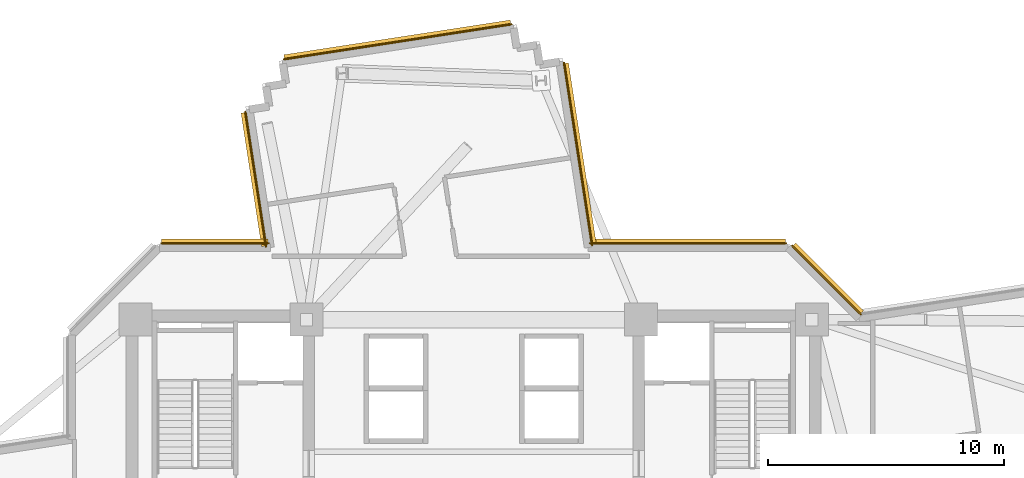
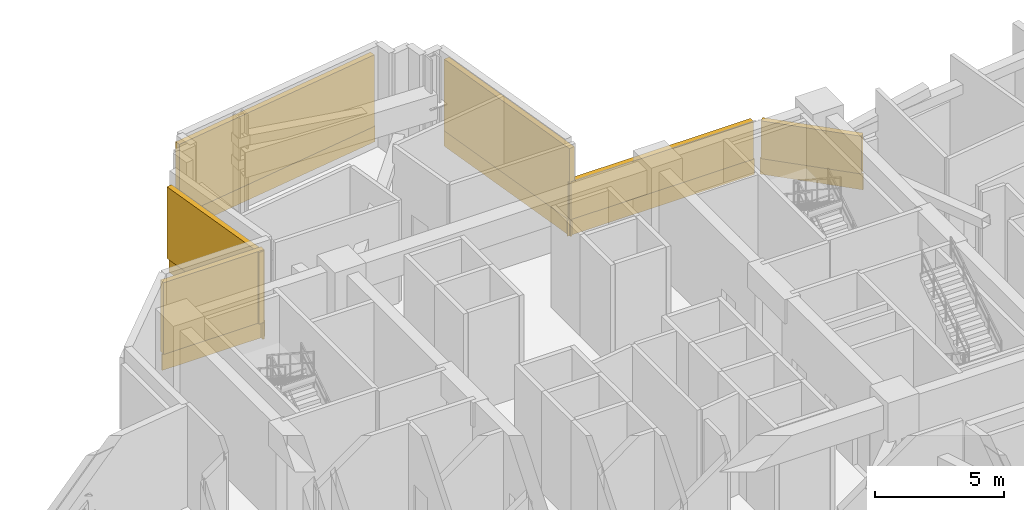
# One storey, part 10 of 10: 6 coverings, 6 shading devices.
"""IFC4 building model written with IfcOpenShell, lengths in metres."""

import ifcopenshell
import ifcopenshell.guid

model = None  # the IFC model being written
_history = None  # IfcOwnerHistory: only IFC2X3 demands one
_inside = {}  # id of a spatial element -> (the spatial element, [elements in it])
_under = {}  # id of a project, library or spatial element -> (it, [spatial elements below it])
_declared = {}  # id of a project -> (the project, [libraries it declares])
_typed = {}  # id of a type object -> (the type object, [elements of that type])
_made_of = {}  # id of a material, layer set ... -> (it, [elements and type objects made of it])


def new_model(schema):
    """Start an empty IFC model of exactly this schema.

    Asked for "IFC4X3", IfcOpenShell would pick the latest addendum, in which some entities
    have other attributes; the version numbers below select the first issue.
    IFC2X3 requires an IfcOwnerHistory on every rooted entity: one is made here for all.
    """
    global model, _history
    if schema == "IFC4X3":
        model = ifcopenshell.file(schema_version=(4, 3, 0, 0))
    else:
        model = ifcopenshell.file(schema=schema)
    _inside.clear()
    _under.clear()
    _declared.clear()
    _typed.clear()
    _made_of.clear()
    _history = None
    if model.schema == "IFC2X3":
        org = make("IfcOrganization", Name="unknown")
        user = make(
            "IfcPersonAndOrganization",
            ThePerson=make("IfcPerson", FamilyName="unknown"),
            TheOrganization=org,
        )
        app = make(
            "IfcApplication",
            ApplicationDeveloper=org,
            Version="unknown",
            ApplicationFullName="unknown",
            ApplicationIdentifier="unknown",
        )
        _history = make(
            "IfcOwnerHistory",
            OwningUser=user,
            OwningApplication=app,
            ChangeAction="ADDED",
            CreationDate=0,
        )
    return model


def make(cls, **values):
    """One entity of the class cls with the attributes given. An attribute that is None is left unset."""
    return model.create_entity(
        cls, **{name: value for name, value in values.items() if value is not None}
    )


def rooted(cls, **values):
    """An entity with a GlobalId (a new one), such as an element, a storey or a relation."""
    return make(cls, GlobalId=ifcopenshell.guid.new(), OwnerHistory=_history, **values)


def si_unit(unit_type, name, prefix=None):
    """IfcSIUnit, for example si_unit("LENGTHUNIT", "METRE", prefix="MILLI")."""
    return make("IfcSIUnit", UnitType=unit_type, Prefix=prefix, Name=name)


def assignment(units):
    """IfcUnitAssignment: the units of a project."""
    return None if units is None else make("IfcUnitAssignment", Units=units)


def point(xyz):
    """IfcCartesianPoint."""
    return None if xyz is None else make("IfcCartesianPoint", Coordinates=xyz)


def direction(xyz):
    """IfcDirection."""
    return None if xyz is None else make("IfcDirection", DirectionRatios=xyz)


def frame(location, z_axis=None, x_axis=None):
    """IfcAxis2Placement3D, a coordinate frame: its origin and axes. An axis left out is left unset."""
    return make(
        "IfcAxis2Placement3D",
        Location=point(location),
        Axis=direction(z_axis),
        RefDirection=direction(x_axis),
    )


def frame_2d(location, x_axis=None):
    """IfcAxis2Placement2D, a coordinate frame in the plane: its origin and x axis."""
    return make(
        "IfcAxis2Placement2D", Location=point(location), RefDirection=direction(x_axis)
    )


def origin():
    """The frame at (0, 0, 0) with its axes left unset."""
    return frame((0.0, 0.0, 0.0))


def origin_2d():
    """The frame at (0, 0) in the plane with its x axis left unset."""
    return frame_2d((0.0, 0.0))


def place(relative_to, where):
    """IfcLocalPlacement: puts the frame where relative to a parent placement (None: the world)."""
    return make(
        "IfcLocalPlacement", PlacementRelTo=relative_to, RelativePlacement=where
    )


def context(
    kind, dimensions, precision=None, world=None, true_north=None, identifier=None
):
    """IfcGeometricRepresentationContext, for example the 3D "Model" context."""
    return make(
        "IfcGeometricRepresentationContext",
        ContextIdentifier=identifier,
        ContextType=kind,
        CoordinateSpaceDimension=dimensions,
        Precision=precision,
        WorldCoordinateSystem=world,
        TrueNorth=true_north,
    )


def subcontext(parent, identifier, kind, view, scale=None):
    """IfcGeometricRepresentationSubContext, for example "Body" below "Model"."""
    return make(
        "IfcGeometricRepresentationSubContext",
        ContextIdentifier=identifier,
        ContextType=kind,
        ParentContext=parent,
        TargetScale=scale,
        TargetView=view,
    )


def project(units=None, contexts=None):
    """IfcProject with its units and contexts."""
    return rooted(
        "IfcProject",
        Name="project",
        RepresentationContexts=contexts,
        UnitsInContext=assignment(units),
    )


def spatial(cls, under=None, at=None, **own):
    """A site, building, storey or space (cls), placed at a placement, below another one or the project."""
    s = rooted(cls, ObjectPlacement=at, **own)
    if under is not None:
        _under.setdefault(under.id(), (under, []))[1].append(s)
    return s


def profile(cls, at=None, kind="AREA", **sizes):
    """A parametric profile (cls). Its sizes go by their IFC names, for example OverallWidth=200.0."""
    return make(cls, ProfileType=kind, Position=at, **sizes)


def rectangle(**sizes):
    """IfcRectangleProfileDef."""
    return profile("IfcRectangleProfileDef", **sizes)


def extrude(swept, where, along, depth):
    """IfcExtrudedAreaSolid: the profile swept, set in the frame where, extruded along a direction by depth."""
    return make(
        "IfcExtrudedAreaSolid",
        SweptArea=swept,
        Position=where,
        ExtrudedDirection=direction(along),
        Depth=depth,
    )


def shape(context_of_items, identifier, shape_type, items):
    """IfcShapeRepresentation: the items that make up one representation, for example the "Body"."""
    return make(
        "IfcShapeRepresentation",
        ContextOfItems=context_of_items,
        RepresentationIdentifier=identifier,
        RepresentationType=shape_type,
        Items=items,
    )


def source(mapping_origin, context_of_items, identifier, shape_type, items):
    """IfcRepresentationMap: a shape defined once, which mapped items show again and again."""
    return make(
        "IfcRepresentationMap",
        MappingOrigin=mapping_origin,
        MappedRepresentation=shape(context_of_items, identifier, shape_type, items),
    )


def transform(
    local_origin,
    x_axis=None,
    y_axis=None,
    z_axis=None,
    scale=None,
    scale2=None,
    scale3=None,
    uniform=True,
):
    """IfcCartesianTransformationOperator3D, or its non-uniform kind. x_axis, y_axis, z_axis: its Axis1, 2, 3."""
    if uniform:
        return make(
            "IfcCartesianTransformationOperator3D",
            Axis1=direction(x_axis),
            Axis2=direction(y_axis),
            LocalOrigin=point(local_origin),
            Scale=scale,
            Axis3=direction(z_axis),
        )
    return make(
        "IfcCartesianTransformationOperator3DnonUniform",
        Axis1=direction(x_axis),
        Axis2=direction(y_axis),
        LocalOrigin=point(local_origin),
        Scale=scale,
        Axis3=direction(z_axis),
        Scale2=scale2,
        Scale3=scale3,
    )


def mapped(mapping_source, mapping_target):
    """IfcMappedItem: shows the shape of a source again, moved by a transform."""
    return make(
        "IfcMappedItem", MappingSource=mapping_source, MappingTarget=mapping_target
    )


def material(Name=None, Category=None):
    """IfcMaterial."""
    return make("IfcMaterial", Name=Name, Category=Category)


def layer(
    of_material, thickness, ventilated=None, Name=None, Category=None, Priority=None
):
    """IfcMaterialLayer: one layer of a wall or slab, of a material (None: an air gap)."""
    return make(
        "IfcMaterialLayer",
        Material=of_material,
        LayerThickness=thickness,
        IsVentilated=ventilated,
        Name=Name,
        Category=Category,
        Priority=Priority,
    )


def layer_set(layers, Name=None):
    """IfcMaterialLayerSet."""
    return make("IfcMaterialLayerSet", MaterialLayers=layers, LayerSetName=Name)


def made_of(thing, what):
    """Note that an element or type object is made of a material, layer set ...; save() writes the relation."""
    if what is not None:
        _made_of.setdefault(what.id(), (what, []))[1].append(thing)
    return thing


def type_object(cls, material=None, **own):
    """A type object (cls), such as IfcWallType, which elements share."""
    return made_of(rooted(cls, **own), material)


def element(
    cls,
    number,
    at=None,
    inside=None,
    cuts=None,
    type_object=None,
    material=None,
    context=None,
    identifier="Body",
    shape_type=None,
    held_by="IfcProductDefinitionShape",
    body=None,
    shapes=None,
    **own,
):
    """One element of the class cls, such as IfcWall. Its Tag is "e" and its number.

    at: its placement. inside: the storey or other place that contains it. cuts: it is an
    opening in that element (IfcRelVoidsElement). A single representation is given by context,
    identifier, shape_type and body (its items); several are given by shapes. held_by: the class
    of the entity that holds the representations. save() writes the other relations.
    """
    e = rooted(cls, Tag="e%d" % number, ObjectPlacement=at, **own)
    if body is not None:
        shapes = [shape(context, identifier, shape_type, body)]
    if shapes is not None:
        e.Representation = make(held_by, Representations=shapes)
    if inside is not None:
        _inside.setdefault(inside.id(), (inside, []))[1].append(e)
    if cuts is not None:
        rooted(
            "IfcRelVoidsElement", RelatingBuildingElement=cuts, RelatedOpeningElement=e
        )
    if type_object is not None:
        _typed.setdefault(type_object.id(), (type_object, []))[1].append(e)
    return made_of(e, material)


def aggregate(whole, parts):
    """IfcRelAggregates: a whole, such as a stair, and the parts it consists of."""
    return rooted("IfcRelAggregates", RelatingObject=whole, RelatedObjects=parts)


def save(model, path):
    """Write the relations noted so far, then the file.

    IfcRelAggregates (storeys below a building ...), IfcRelContainedInSpatialStructure (elements
    in a storey), IfcRelDefinesByType, IfcRelAssociatesMaterial and IfcRelDeclares: one each for
    every whole, place, type object, material and project.
    """
    for whole, parts in _under.values():
        aggregate(whole, parts)
    for where, things in _inside.values():
        rooted(
            "IfcRelContainedInSpatialStructure",
            RelatedElements=things,
            RelatingStructure=where,
        )
    for kind, things in _typed.values():
        rooted("IfcRelDefinesByType", RelatedObjects=things, RelatingType=kind)
    for what, things in _made_of.values():
        rooted("IfcRelAssociatesMaterial", RelatedObjects=things, RelatingMaterial=what)
    for by, libraries in _declared.values():
        rooted("IfcRelDeclares", RelatingContext=by, RelatedDefinitions=libraries)
    model.write(path)


model = new_model("IFC4")

# Units and contexts
model_context = context("Model", 3, precision=1e-05, world=origin(), true_north=direction((0.0, 1.0)))
body_context = subcontext(model_context, "Body", "Model", "MODEL_VIEW")
ifc_project = project(units=[si_unit("LENGTHUNIT", "METRE"), si_unit("AREAUNIT", "SQUARE_METRE"), si_unit("VOLUMEUNIT", "CUBIC_METRE"), si_unit("PLANEANGLEUNIT", "RADIAN"), si_unit("MASSUNIT", "GRAM", prefix="KILO")], contexts=[model_context])

# Site, building, storey
site_placement = place(None, origin())
site = spatial("IfcSite", under=ifc_project, at=site_placement, CompositionType="ELEMENT")
building_placement = place(site_placement, origin())
building = spatial("IfcBuilding", under=site, at=building_placement, Name="Zahravan Cultural Tower", CompositionType="ELEMENT")
storey_placement = place(building_placement, frame((0.0, 0.0, 125.699951171875)))
storey = spatial("IfcBuildingStorey", under=building, at=storey_placement, Name="L28", CompositionType="ELEMENT", Elevation=125.699951171875)

# Covering
ifc_material_1 = material(Name="Terracotta ceramic cladding", Category="masonry")
ifc_layer = layer(ifc_material_1, 0.06005859375)
ifc_layer_set = layer_set([ifc_layer], Name="Terracotta ceramic cladding")
covering_type = type_object("IfcCoveringType", Name="COV-CLAD-TC60", PredefinedType="CLADDING", material=ifc_layer_set)
shared_shape_1 = source(origin(), body_context, "Body", "SweptSolid", [
    extrude(rectangle(XDim=9.820068359375, YDim=0.06005859375, at=origin_2d()), origin(), (0.0, 0.0, 1.0), 0.760009765625),
])
covering_1_placement = place(storey_placement, frame((32.771728515625, 47.998291015625, 0.02001953125), z_axis=(0.0, 0.0, 1.0), x_axis=(0.988388045954, 0.151950882248, 0.0)))
element("IfcCovering", 1, at=covering_1_placement, inside=storey, type_object=covering_type, Name="L28 Terracotta Spandrel Cladding 47", PredefinedType="CLADDING", context=body_context, shape_type="MappedRepresentation", body=[
    mapped(shared_shape_1, transform((0.0, 0.0, 0.0), x_axis=(1.0, 0.0, 0.0), y_axis=(0.0, 1.0, 0.0), z_axis=(0.0, 0.0, 1.0), scale=1.0)),
])

# Shading device
ifc_material_2 = material(Name="Architectural terracotta fin", Category="masonry")
shading_device_type = type_object("IfcShadingDeviceType", Name="SHD-LOUVRE-BAND", PredefinedType="JALOUSIE", material=ifc_material_2)
shared_shape_2 = source(origin(), body_context, "Body", "SweptSolid", [
    extrude(rectangle(XDim=9.719970703125, YDim=0.239990234375, at=origin_2d()), origin(), (0.0, 0.0, 1.0), 3.39990234375),
])
shading_device_1_placement = place(storey_placement, frame((32.761962890625, 48.0625, 0.780029296875), z_axis=(0.0, 0.0, 1.0), x_axis=(0.988388045954, 0.151950882248, 0.0)))
element("IfcShadingDevice", 2, at=shading_device_1_placement, inside=storey, type_object=shading_device_type, Name="L28 Terracotta Acoustic Louvre 19", PredefinedType="JALOUSIE", context=body_context, shape_type="MappedRepresentation", body=[
    mapped(shared_shape_2, transform((0.0, 0.0, 0.0), x_axis=(1.0, 0.0, 0.0), y_axis=(0.0, 1.0, 0.0), z_axis=(0.0, 0.0, 1.0), scale=1.0)),
])

# Covering
shared_shape_3 = source(origin(), body_context, "Body", "SweptSolid", [
    extrude(rectangle(XDim=4.618896484375, YDim=0.06005859375, at=origin_2d()), origin(), (0.0, 0.0, 1.0), 0.760009765625),
])
covering_2_placement = place(storey_placement, frame((25.017578125, 39.445068359375, 0.02001953125), z_axis=(0.0, 0.0, 1.0), x_axis=(1.0, 0.0, 0.0)))
element("IfcCovering", 3, at=covering_2_placement, inside=storey, type_object=covering_type, Name="L28 Terracotta Spandrel Cladding 41", PredefinedType="CLADDING", context=body_context, shape_type="MappedRepresentation", body=[
    mapped(shared_shape_3, transform((0.0, 0.0, 0.0), x_axis=(1.0, 0.0, 0.0), y_axis=(0.0, 1.0, 0.0), z_axis=(0.0, 0.0, 1.0), scale=1.0)),
])

# Shading device
shared_shape_4 = source(origin(), body_context, "Body", "SweptSolid", [
    extrude(rectangle(XDim=4.51904296875, YDim=0.239990234375, at=origin_2d()), origin(), (0.0, 0.0, 1.0), 3.39990234375),
])
shading_device_2_placement = place(storey_placement, frame((25.017578125, 39.510009765625, 0.780029296875), z_axis=(0.0, 0.0, 1.0), x_axis=(1.0, 0.0, 0.0)))
element("IfcShadingDevice", 4, at=shading_device_2_placement, inside=storey, type_object=shading_device_type, Name="L28 Terracotta Acoustic Louvre 17", PredefinedType="JALOUSIE", context=body_context, shape_type="MappedRepresentation", body=[
    mapped(shared_shape_4, transform((0.0, 0.0, 0.0), x_axis=(1.0, 0.0, 0.0), y_axis=(0.0, 1.0, 0.0), z_axis=(0.0, 0.0, 1.0), scale=1.0)),
])

# Covering
shared_shape_5 = source(origin(), body_context, "Body", "SweptSolid", [
    extrude(rectangle(XDim=5.83203125, YDim=0.06005859375, at=origin_2d()), origin(), (0.0, 0.0, 1.0), 0.760009765625),
])
covering_3_placement = place(storey_placement, frame((26.743408203125, 42.16357421875, 0.02001953125), z_axis=(0.0, 0.0, 1.0), x_axis=(-0.151968132851, 0.98838539376, 0.0)))
element("IfcCovering", 5, at=covering_3_placement, inside=storey, type_object=covering_type, Name="L28 Terracotta Spandrel Cladding 42", PredefinedType="CLADDING", context=body_context, shape_type="MappedRepresentation", body=[
    mapped(shared_shape_5, transform((0.0, 0.0, 0.0), x_axis=(1.0, 0.0, 0.0), y_axis=(0.0, 1.0, 0.0), z_axis=(0.0, 0.0, 1.0), scale=1.0)),
])

# Shading device
shared_shape_6 = source(origin(), body_context, "Body", "SweptSolid", [
    extrude(rectangle(XDim=5.732177734375, YDim=0.239990234375, at=origin_2d()), origin(), (0.0, 0.0, 1.0), 3.39990234375),
])
shading_device_3_placement = place(storey_placement, frame((26.67919921875, 42.153564453125, 0.780029296875), z_axis=(0.0, 0.0, 1.0), x_axis=(-0.151968132851, 0.98838539376, 0.0)))
element("IfcShadingDevice", 6, at=shading_device_3_placement, inside=storey, type_object=shading_device_type, Name="L28 Terracotta Acoustic Louvre 18", PredefinedType="JALOUSIE", context=body_context, shape_type="MappedRepresentation", body=[
    mapped(shared_shape_6, transform((0.0, 0.0, 0.0), x_axis=(1.0, 0.0, 0.0), y_axis=(0.0, 1.0, 0.0), z_axis=(0.0, 0.0, 1.0), scale=1.0)),
])

# Covering
shared_shape_7 = source(origin(), body_context, "Body", "SweptSolid", [
    extrude(rectangle(XDim=7.8798828125, YDim=0.06005859375, at=origin_2d()), origin(), (0.0, 0.0, 1.0), 0.760009765625),
])
covering_4_placement = place(storey_placement, frame((40.43017578125, 43.231689453125, 0.02001953125), z_axis=(0.0, 0.0, 1.0), x_axis=(0.151950882248, -0.988388045954, 0.0)))
element("IfcCovering", 7, at=covering_4_placement, inside=storey, type_object=covering_type, Name="L28 Terracotta Spandrel Cladding 52", PredefinedType="CLADDING", context=body_context, shape_type="MappedRepresentation", body=[
    mapped(shared_shape_7, transform((0.0, 0.0, 0.0), x_axis=(1.0, 0.0, 0.0), y_axis=(0.0, 1.0, 0.0), z_axis=(0.0, 0.0, 1.0), scale=1.0)),
])

# Shading device
shared_shape_8 = source(origin(), body_context, "Body", "SweptSolid", [
    extrude(rectangle(XDim=7.77978515625, YDim=0.239990234375, at=origin_2d()), origin(), (0.0, 0.0, 1.0), 3.39990234375),
])
shading_device_4_placement = place(storey_placement, frame((40.494384765625, 43.24169921875, 0.780029296875), z_axis=(0.0, 0.0, 1.0), x_axis=(0.151950882248, -0.988388045954, 0.0)))
element("IfcShadingDevice", 8, at=shading_device_4_placement, inside=storey, type_object=shading_device_type, Name="L28 Terracotta Acoustic Louvre 20", PredefinedType="JALOUSIE", context=body_context, shape_type="MappedRepresentation", body=[
    mapped(shared_shape_8, transform((0.0, 0.0, 0.0), x_axis=(1.0, 0.0, 0.0), y_axis=(0.0, 1.0, 0.0), z_axis=(0.0, 0.0, 1.0), scale=1.0)),
])

# Covering
shared_shape_9 = source(origin(), body_context, "Body", "SweptSolid", [
    extrude(rectangle(XDim=8.388427734375, YDim=0.06005859375, at=origin_2d()), origin(), (0.0, 0.0, 1.0), 0.760009765625),
])
covering_5_placement = place(storey_placement, frame((45.09765625, 39.445068359375, 0.02001953125), z_axis=(0.0, 0.0, 1.0), x_axis=(1.0, 0.0, 0.0)))
element("IfcCovering", 9, at=covering_5_placement, inside=storey, type_object=covering_type, Name="L28 Terracotta Spandrel Cladding 53", PredefinedType="CLADDING", context=body_context, shape_type="MappedRepresentation", body=[
    mapped(shared_shape_9, transform((0.0, 0.0, 0.0), x_axis=(1.0, 0.0, 0.0), y_axis=(0.0, 1.0, 0.0), z_axis=(0.0, 0.0, 1.0), scale=1.0)),
])

# Shading device
shared_shape_10 = source(origin(), body_context, "Body", "SweptSolid", [
    extrude(rectangle(XDim=8.28857421875, YDim=0.239990234375, at=origin_2d()), origin(), (0.0, 0.0, 1.0), 1.7919921875),
])
shading_device_5_placement = place(storey_placement, frame((45.09765625, 39.510009765625, 0.780029296875), z_axis=(0.0, 0.0, 1.0), x_axis=(1.0, 0.0, 0.0)))
element("IfcShadingDevice", 10, at=shading_device_5_placement, inside=storey, type_object=shading_device_type, Name="L28 Terracotta Acoustic Louvre 21", PredefinedType="JALOUSIE", context=body_context, shape_type="MappedRepresentation", body=[
    mapped(shared_shape_10, transform((0.0, 0.0, 0.0), x_axis=(1.0, 0.0, 0.0), y_axis=(0.0, 1.0, 0.0), z_axis=(0.0, 0.0, 1.0), scale=1.0)),
])

# Covering
shared_shape_11 = source(origin(), body_context, "Body", "SweptSolid", [
    extrude(rectangle(XDim=4.154296875, YDim=0.06005859375, at=origin_2d()), origin(), (0.0, 0.0, 1.0), 0.760009765625),
])
covering_6_placement = place(storey_placement, frame((50.976806640625, 37.88671875, 0.02001953125), z_axis=(0.0, 0.0, 1.0), x_axis=(0.707106781187, -0.707106781187, 0.0)))
element("IfcCovering", 11, at=covering_6_placement, inside=storey, type_object=covering_type, Name="L28 Terracotta Spandrel Cladding 54", PredefinedType="CLADDING", context=body_context, shape_type="MappedRepresentation", body=[
    mapped(shared_shape_11, transform((0.0, 0.0, 0.0), x_axis=(1.0, 0.0, 0.0), y_axis=(0.0, 1.0, 0.0), z_axis=(0.0, 0.0, 1.0), scale=1.0)),
])

# Shading device
shared_shape_12 = source(origin(), body_context, "Body", "SweptSolid", [
    extrude(rectangle(XDim=4.05419921875, YDim=0.239990234375, at=origin_2d()), origin(), (0.0, 0.0, 1.0), 1.7919921875),
])
shading_device_6_placement = place(storey_placement, frame((51.02294921875, 37.9326171875, 0.780029296875), z_axis=(0.0, 0.0, 1.0), x_axis=(0.707106781187, -0.707106781187, 0.0)))
element("IfcShadingDevice", 12, at=shading_device_6_placement, inside=storey, type_object=shading_device_type, Name="L28 Terracotta Acoustic Louvre 22", PredefinedType="JALOUSIE", context=body_context, shape_type="MappedRepresentation", body=[
    mapped(shared_shape_12, transform((0.0, 0.0, 0.0), x_axis=(1.0, 0.0, 0.0), y_axis=(0.0, 1.0, 0.0), z_axis=(0.0, 0.0, 1.0), scale=1.0)),
])

save(model, "model.ifc")
